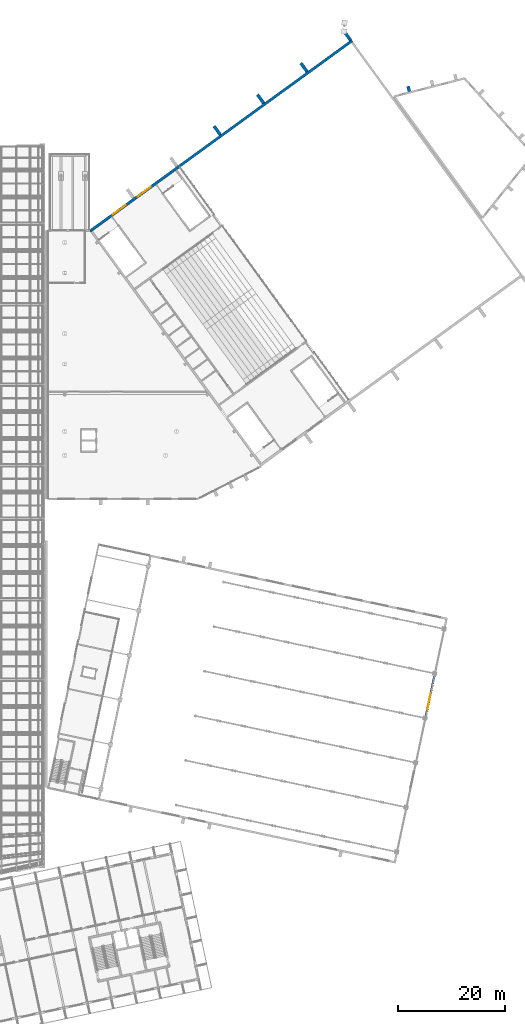
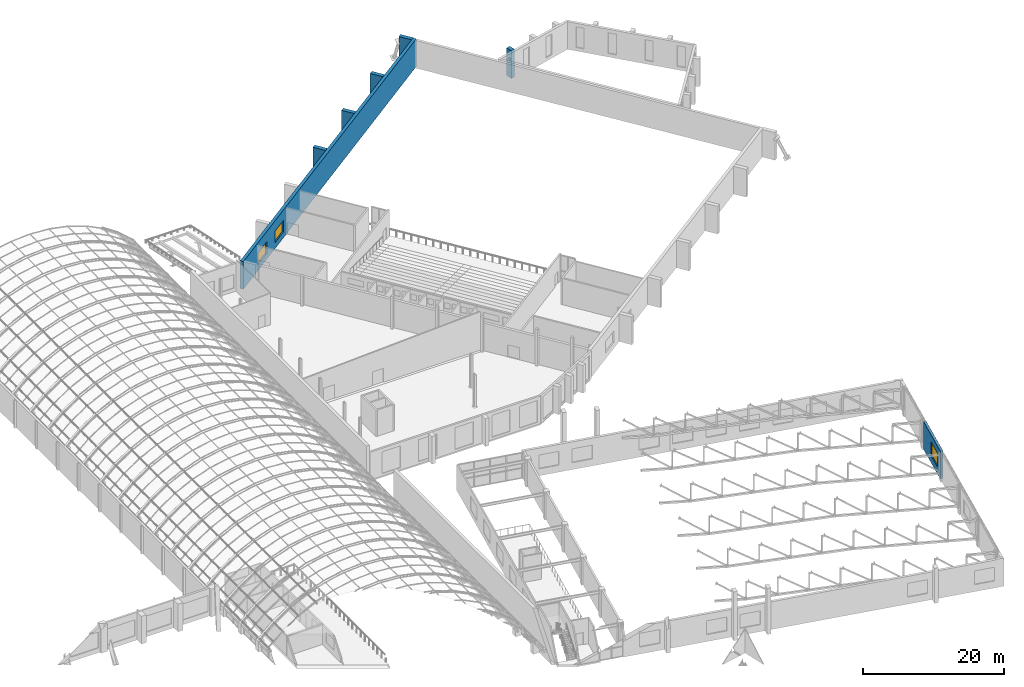
# One storey, part 147 of 182: 7 walls, 3 windows, 3 openings.
"""IFC4 building model written with IfcOpenShell, lengths in metres."""

from ifc_helpers import new_model, si_unit, direction, frame, frame_2d, origin, place, context, subcontext, project, spatial, rectangle, extrude, material, layer, layer_set, type_object, element, fill, save


model = new_model("IFC4")

# Units and contexts
model_context = context("Model", 3, precision=1e-05, world=origin(), true_north=direction((0.0, 1.0)))
body_context = subcontext(model_context, "Body", "Model", "MODEL_VIEW")
ifc_project = project(units=[si_unit("LENGTHUNIT", "METRE"), si_unit("AREAUNIT", "SQUARE_METRE"), si_unit("VOLUMEUNIT", "CUBIC_METRE"), si_unit("PLANEANGLEUNIT", "RADIAN"), si_unit("MASSUNIT", "GRAM", prefix="KILO")], contexts=[model_context])

# Site, building, storey
site_placement = place(None, origin())
site = spatial("IfcSite", under=ifc_project, at=site_placement, CompositionType="ELEMENT")
building_placement = place(site_placement, origin())
building = spatial("IfcBuilding", under=site, at=building_placement, Name="Okhra Congress Centre", CompositionType="ELEMENT")
storey_placement = place(building_placement, frame((0.0, 0.0, 7.199951171875)))
storey = spatial("IfcBuildingStorey", under=building, at=storey_placement, Name="L01", CompositionType="ELEMENT", Elevation=7.199951171875)

# Walls
ifc_material_1 = material(Name="Concrete C35/45", Category="concrete")
ifc_layer_1 = layer(ifc_material_1, 0.60009765625)
ifc_layer_set_1 = layer_set([ifc_layer_1], Name="Buttress fin 600 R 120 C35/45")
wall_type_1 = type_object("IfcWallType", Name="Buttress fin 600 R 120 C35/45", PredefinedType="SOLIDWALL", material=ifc_layer_set_1)
for number, where, z_axis, x_axis, name in (
    (1, (222.193603515625, 217.631591796875, 0.0), (0.0, 0.0, 1.0), (-0.587743397701, 0.809047401861, 0.0), "Buttress fin N 0 L01"),
    (2, (230.283935546875, 223.509521484375, 0.0), (0.0, 0.0, 1.0), (-0.587881334972, 0.808947177504, 0.0), "Buttress fin N 10 L01"),
    (3, (238.3740234375, 229.38720703125, 0.0), (0.0, 0.0, 1.0), (-0.587743397701, 0.809047401861, 0.0), "Buttress fin N 20 L01"),
    (4, (246.464111328125, 235.26513671875, 0.0), (0.0, 0.0, 1.0), (-0.587743397701, 0.809047401861, 0.0), "Buttress fin N 30 L01"),
):
    element("IfcWall", number, at=place(storey_placement, frame(where, z_axis=z_axis, x_axis=x_axis)), inside=storey, type_object=wall_type_1, Name=name, PredefinedType="SOLIDWALL", context=body_context, shape_type="SweptSolid", body=[
        extrude(rectangle(XDim=2.0, YDim=0.60009765625, at=frame_2d((1.0, 0.0))), origin(), (0.0, 0.0, 1.0), 4.800048828125),
    ])

# Wall, opening, window
ifc_material_2 = material(Name="Insulated metal sandwich panel (mineral wool core)")
ifc_layer_2 = layer(ifc_material_2, 0.39990234375)
ifc_layer_set_2 = layer_set([ifc_layer_2], Name="Insulated wall panel 400")
wall_type_2 = type_object("IfcWallType", Name="Insulated wall panel 400", PredefinedType="SOLIDWALL", material=ifc_layer_set_2)
wall_1_placement = place(storey_placement, frame((260.502197265625, 109.281982421875, 0.0), z_axis=(0.0, 0.0, 1.0), x_axis=(0.207900468663, 0.978149986009, 0.0)))
wall_1 = element("IfcWall", 5, at=wall_1_placement, inside=storey, type_object=wall_type_2, Name="Ballroom east wall", PredefinedType="SOLIDWALL", context=body_context, shape_type="SweptSolid", body=[
    extrude(rectangle(XDim=7.699951171875, YDim=0.39990234375, at=frame_2d((3.85009765625, 0.0))), origin(), (0.0, 0.0, 1.0), 4.800048828125),
])
opening_1_placement = place(wall_1_placement, frame((1.35009765625, 0.0, 1.199951171875)))
opening_1 = element("IfcOpeningElement", 6, at=opening_1_placement, cuts=wall_1, Name="Opening WN13", PredefinedType="OPENING", context=body_context, shape_type="SweptSolid", body=[
    extrude(rectangle(XDim=3.0, YDim=2.39990234375, at=frame_2d((1.5, 1.199951171875))), frame((0.0, 0.2099609375, 0.0), z_axis=(0.0, -1.0, 0.0), x_axis=(1.0, 0.0, 0.0)), (0.0, 0.0, 1.0), 0.419921875),
])
ifc_material_3 = material(Name="Thermally broken aluminium frame, triple glazing", Category="aluminium")
window_type_1 = type_object("IfcWindowType", Name="Fixed window 3000x2400", PartitioningType="SINGLE_PANEL", PredefinedType="WINDOW", material=ifc_material_3)
window_1_placement = place(opening_1_placement, origin())
window_1 = element("IfcWindow", 7, at=window_1_placement, inside=storey, type_object=window_type_1, Name="Ballroom clerestory window", OverallHeight=2.39990234375, OverallWidth=3.0, PartitioningType="SINGLE_PANEL", PredefinedType="WINDOW", context=body_context, shape_type="SweptSolid", body=[
    extrude(rectangle(XDim=3.0, YDim=2.39990234375, at=frame_2d((1.5, 1.199951171875))), frame((0.0, 0.030029296875, 0.0), z_axis=(0.0, -1.0, 0.0), x_axis=(1.0, 0.0, 0.0)), (0.0, 0.0, 1.0), 0.06005859375),
])
fill(opening_1, window_1)

# Wall, openings, windows
ifc_layer_3 = layer(ifc_material_1, 0.5)
ifc_layer_set_3 = layer_set([ifc_layer_3], Name="RC wall 500 REI 120 C35/45")
wall_type_3 = type_object("IfcWallType", Name="RC wall 500 REI 120 C35/45", PredefinedType="SOLIDWALL", material=ifc_layer_set_3)
wall_2_placement = place(storey_placement, frame((197.908203125, 199.67822265625, 0.0), z_axis=(0.0, 0.0, 1.0), x_axis=(0.809017930405, 0.587783963956, 0.0)))
wall_2 = element("IfcWall", 8, at=wall_2_placement, inside=storey, type_object=wall_type_3, Name="Buttress wall N L01", PredefinedType="SOLIDWALL", context=body_context, shape_type="SweptSolid", body=[
    extrude(rectangle(XDim=60.400146484375, YDim=0.5, at=frame_2d((30.2001953125, 0.0))), origin(), (0.0, 0.0, 1.0), 4.800048828125),
])
opening_2_placement = place(wall_2_placement, frame((5.199951171875, 0.0, 1.0)))
opening_2 = element("IfcOpeningElement", 9, at=opening_2_placement, cuts=wall_2, Name="Opening WN9", PredefinedType="OPENING", context=body_context, shape_type="SweptSolid", body=[
    extrude(rectangle(XDim=3.0, YDim=2.0, at=frame_2d((1.5, 1.0))), frame((0.0, 0.260009765625, 0.0), z_axis=(0.0, -1.0, 0.0), x_axis=(1.0, 0.0, 0.0)), (0.0, 0.0, 1.0), 0.52001953125),
])
opening_3_placement = place(wall_2_placement, frame((11.0, 0.0, 1.0)))
opening_3 = element("IfcOpeningElement", 10, at=opening_3_placement, cuts=wall_2, Name="Opening WN9", PredefinedType="OPENING", context=body_context, shape_type="SweptSolid", body=[
    extrude(rectangle(XDim=3.0, YDim=2.0, at=frame_2d((1.5, 1.0))), frame((0.0, 0.260009765625, 0.0), z_axis=(0.0, -1.0, 0.0), x_axis=(1.0, 0.0, 0.0)), (0.0, 0.0, 1.0), 0.52001953125),
])
window_type_2 = type_object("IfcWindowType", Name="Fixed window 3000x2000", PartitioningType="SINGLE_PANEL", PredefinedType="WINDOW", material=ifc_material_3)
window_2_placement = place(opening_2_placement, origin())
window_2 = element("IfcWindow", 11, at=window_2_placement, inside=storey, type_object=window_type_2, Name="PH.WIN.L01.3", OverallHeight=2.0, OverallWidth=3.0, PartitioningType="SINGLE_PANEL", PredefinedType="WINDOW", context=body_context, shape_type="SweptSolid", body=[
    extrude(rectangle(XDim=3.0, YDim=2.0, at=frame_2d((1.5, 1.0))), frame((0.0, 0.030029296875, 0.0), z_axis=(0.0, -1.0, 0.0), x_axis=(1.0, 0.0, 0.0)), (0.0, 0.0, 1.0), 0.06005859375),
])
fill(opening_2, window_2)
window_3_placement = place(opening_3_placement, origin())
window_3 = element("IfcWindow", 12, at=window_3_placement, inside=storey, type_object=window_type_2, Name="PH.WIN.L01.4", OverallHeight=2.0, OverallWidth=3.0, PartitioningType="SINGLE_PANEL", PredefinedType="WINDOW", context=body_context, shape_type="SweptSolid", body=[
    extrude(rectangle(XDim=3.0, YDim=2.0, at=frame_2d((1.5, 1.0))), frame((0.0, 0.030029296875, 0.0), z_axis=(0.0, -1.0, 0.0), x_axis=(1.0, 0.0, 0.0)), (0.0, 0.0, 1.0), 0.06005859375),
])
fill(opening_3, window_3)

# Wall
ifc_layer_4 = layer(ifc_material_1, 0.60009765625)
ifc_layer_set_4 = layer_set([ifc_layer_4], Name="Stage house fin 600 R 120 C35/45")
wall_type_4 = type_object("IfcWallType", Name="Stage house fin 600 R 120 C35/45", PredefinedType="SOLIDWALL", material=ifc_layer_set_4)
wall_3_placement = place(storey_placement, frame((257.4326171875, 225.71826171875, 0.0), z_axis=(0.0, 0.0, 1.0), x_axis=(-0.247758657109, 0.968821783316, 0.0)))
element("IfcWall", 13, at=wall_3_placement, inside=storey, type_object=wall_type_4, Name="Stage house fin N1 L01", PredefinedType="SOLIDWALL", context=body_context, shape_type="SweptSolid", body=[
    extrude(rectangle(XDim=1.000244140625, YDim=0.60009765625, at=frame_2d((0.5, 0.0))), origin(), (0.0, 0.0, 1.0), 4.800048828125),
])

save(model, "model.ifc")
